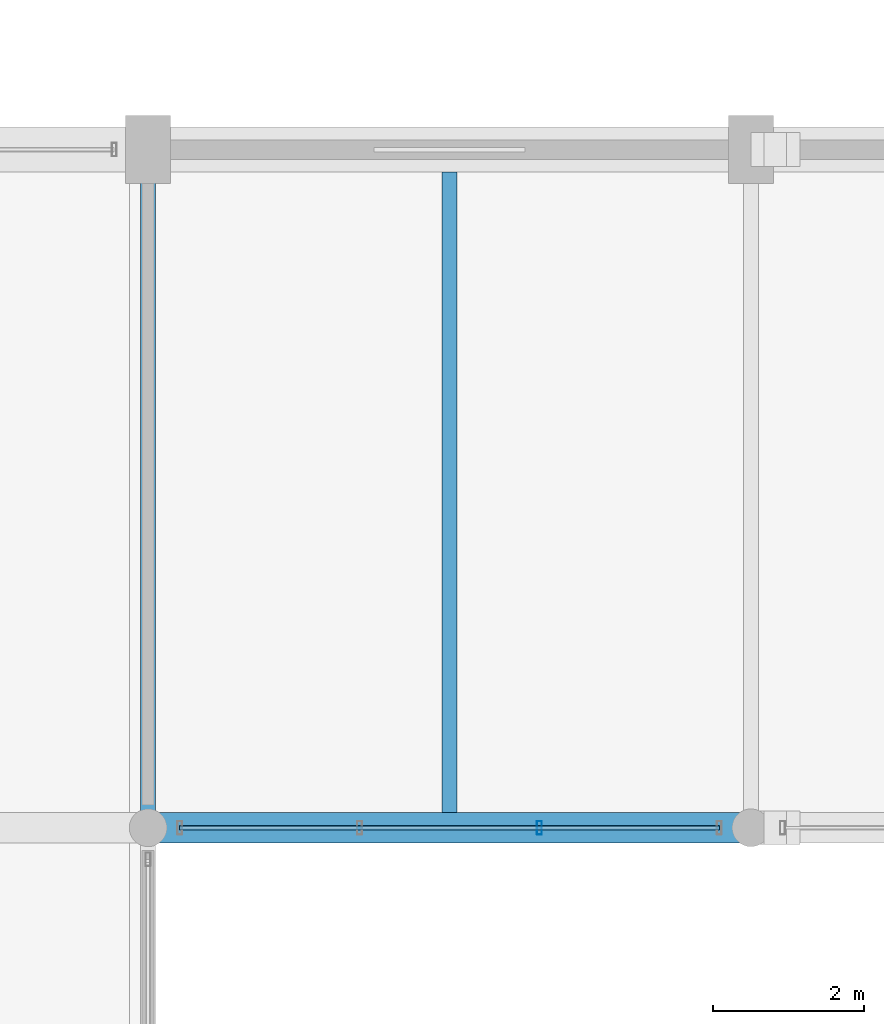
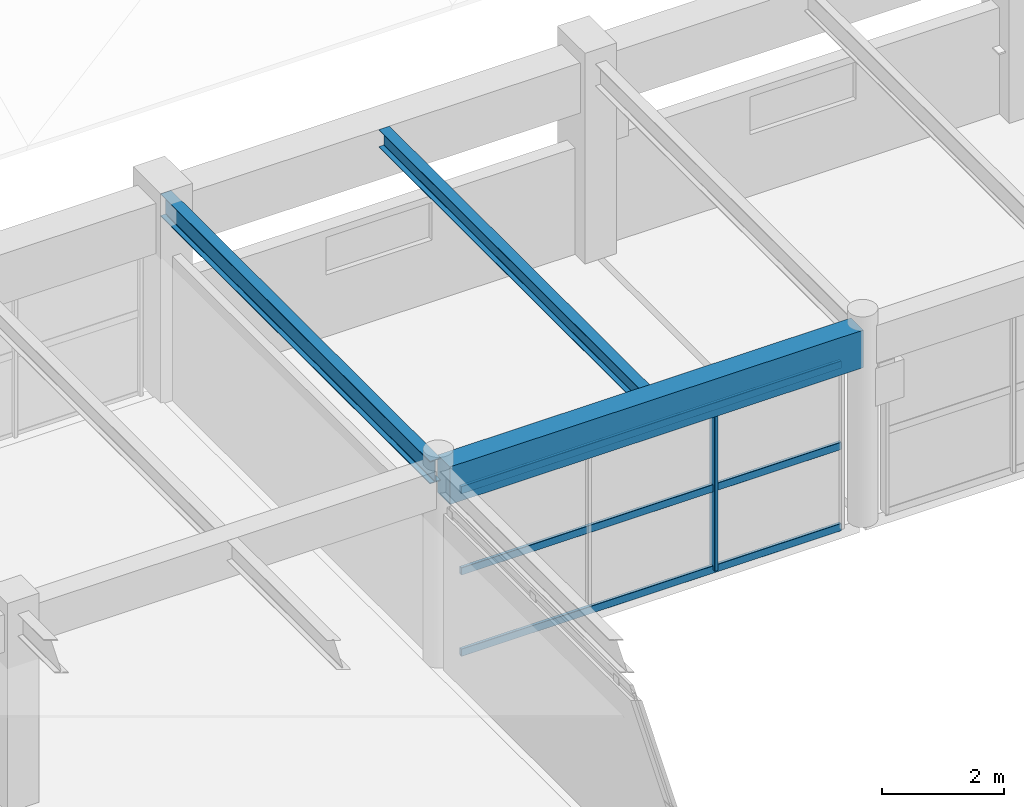
# One storey, part 18 of 126: 4 members, 3 beams, 1 element without a shape of its own.
"""IFC4 building model written with IfcOpenShell, lengths in metres."""

from ifc_helpers import new_model, si_unit, direction, frame, origin, origin_2d, place, context, subcontext, project, spatial, rectangle, hollow_rectangle, i_section, extrude, material, material_profile, profile_set, type_object, element, aggregate, save


model = new_model("IFC4")

# Units and contexts
model_context = context("Model", 3, precision=1e-05, world=origin(), true_north=direction((0.0, 1.0)))
body_context = subcontext(model_context, "Body", "Model", "MODEL_VIEW")
ifc_project = project(units=[si_unit("LENGTHUNIT", "METRE"), si_unit("AREAUNIT", "SQUARE_METRE"), si_unit("VOLUMEUNIT", "CUBIC_METRE"), si_unit("PLANEANGLEUNIT", "RADIAN"), si_unit("MASSUNIT", "GRAM", prefix="KILO")], contexts=[model_context])

# Site, building, storey
site_placement = place(None, origin())
site = spatial("IfcSite", under=ifc_project, at=site_placement, CompositionType="ELEMENT")
building_placement = place(site_placement, origin())
building = spatial("IfcBuilding", under=site, at=building_placement, Name="Varnabhumi Central Station", CompositionType="ELEMENT")
storey_placement = place(building_placement, frame((0.0, 0.0, 16.199951171875)))
storey = spatial("IfcBuildingStorey", under=building, at=storey_placement, Name="L03", CompositionType="ELEMENT", Elevation=16.199951171875)

# Beams
ifc_material_1 = material(Name="Concrete M40", Category="concrete")
ifc_material_profile_1 = material_profile(ifc_material_1, rectangle(XDim=0.39990234375, YDim=0.75, at=origin_2d()), Name="Concrete M40", Category="concrete")
ifc_profile_set_1 = profile_set([ifc_material_profile_1], Name="Concrete M40")
beam_type_1 = type_object("IfcBeamType", Name="BM-RC-400x750", PredefinedType="BEAM", material=ifc_profile_set_1)
beam_1_placement = place(storey_placement, frame((112.10009765625, 27.0, 3.545166015625), z_axis=(1.0, 0.0, 0.0), x_axis=(0.0, 1.0, 0.0)))
element("IfcBeam", 1, at=beam_1_placement, inside=storey, type_object=beam_type_1, Name="Beam L03-D:15-16", PredefinedType="BEAM", context=body_context, shape_type="SweptSolid", body=[
    extrude(rectangle(XDim=0.39990234375, YDim=0.75, at=origin_2d()), origin(), (0.0, 0.0, 1.0), 7.7998046875),
])
ifc_material_2 = material(Name="Structural steel E350", Category="steel")
ifc_material_profile_2 = material_profile(ifc_material_2, i_section(OverallWidth=0.199951171875, OverallDepth=0.35009765625, WebThickness=0.008056640625, FlangeThickness=0.011474609375, FilletRadius=0.011962890625, at=origin_2d()), Name="Structural steel E350", Category="steel")
ifc_profile_set_2 = profile_set([ifc_material_profile_2], Name="Structural steel E350")
beam_type_2 = type_object("IfcBeamType", Name="BM-STL-ISWB350", PredefinedType="JOIST", material=ifc_profile_set_2)
beam_2_placement = place(storey_placement, frame((116.0, 27.199951171875, 3.7451171875), z_axis=(0.0, 1.0, 0.0), x_axis=(-1.0, 0.0, 0.0)))
element("IfcBeam", 2, at=beam_2_placement, inside=storey, type_object=beam_type_2, Name="Secondary Joist L03-15/16:D-E", PredefinedType="JOIST", context=body_context, shape_type="SweptSolid", body=[
    extrude(i_section(OverallWidth=0.199951171875, OverallDepth=0.35009765625, WebThickness=0.008056640625, FlangeThickness=0.011474609375, FilletRadius=0.011962890625, at=origin_2d()), origin(), (0.0, 0.0, 1.0), 8.5),
])
ifc_material_profile_3 = material_profile(ifc_material_2, i_section(OverallWidth=0.199951171875, OverallDepth=0.449951171875, WebThickness=0.00927734375, FlangeThickness=0.015380859375, FilletRadius=0.013916015625, at=origin_2d()), Name="Structural steel E350", Category="steel")
ifc_profile_set_3 = profile_set([ifc_material_profile_3], Name="Structural steel E350")
beam_type_3 = type_object("IfcBeamType", Name="BM-STL-ISWB450", PredefinedType="BEAM", material=ifc_profile_set_3)
beam_3_placement = place(storey_placement, frame((112.0, 27.10009765625, 3.695068359375), z_axis=(0.0, 1.0, 0.0), x_axis=(-1.0, 0.0, 0.0)))
element("IfcBeam", 3, at=beam_3_placement, inside=storey, type_object=beam_type_3, Name="Beam L03-15:D-E", PredefinedType="BEAM", context=body_context, shape_type="SweptSolid", body=[
    extrude(i_section(OverallWidth=0.199951171875, OverallDepth=0.449951171875, WebThickness=0.00927734375, FlangeThickness=0.015380859375, FilletRadius=0.013916015625, at=origin_2d()), origin(), (0.0, 0.0, 1.0), 8.7998046875),
])

# Curtain wall, members
ifc_material_3 = material(Name="Anodised aluminium 6063-T6", Category="aluminium")
curtain_wall_type = type_object("IfcCurtainWallType", Name="CW-PATIO-LOGGIA-L3", PredefinedType="NOTDEFINED", material=ifc_material_3)
curtain_wall_placement = place(storey_placement, origin())
curtain_wall = element("IfcCurtainWall", 4, at=curtain_wall_placement, inside=storey, type_object=curtain_wall_type, Name="Curtain Wall CW-SP3N1", PredefinedType="NOTDEFINED")
ifc_material_profile_4 = material_profile(ifc_material_3, hollow_rectangle(XDim=0.06494140625, YDim=0.179931640625, WallThickness=0.00390625, InnerFilletRadius=0.001953125, OuterFilletRadius=0.006103515625, at=origin_2d()), Name="Anodised aluminium 6063-T6", Category="aluminium")
ifc_profile_set_4 = profile_set([ifc_material_profile_4], Name="Anodised aluminium 6063-T6")
member_type_1 = type_object("IfcMemberType", Name="CW-MUL-180", PredefinedType="MULLION", material=ifc_profile_set_4)
member_1_placement = place(storey_placement, frame((117.193359375, 27.0, 0.0), z_axis=(0.0, 0.0, 1.0), x_axis=(1.0, 0.0, 0.0)))
member_1 = element("IfcMember", 5, at=member_1_placement, type_object=member_type_1, Name="Curtain Wall Mullion CW-SP3N1-M3", PredefinedType="MULLION", context=body_context, shape_type="SweptSolid", body=[
    extrude(hollow_rectangle(XDim=0.06494140625, YDim=0.179931640625, WallThickness=0.00390625, InnerFilletRadius=0.001953125, OuterFilletRadius=0.006103515625, at=origin_2d()), origin(), (0.0, 0.0, 1.0), 3.239990234375),
])
ifc_material_profile_5 = material_profile(ifc_material_3, hollow_rectangle(XDim=0.06005859375, YDim=0.14990234375, WallThickness=0.00390625, InnerFilletRadius=0.001953125, OuterFilletRadius=0.006103515625, at=origin_2d()), Name="Anodised aluminium 6063-T6", Category="aluminium")
ifc_profile_set_5 = profile_set([ifc_material_profile_5], Name="Anodised aluminium 6063-T6")
member_type_2 = type_object("IfcMemberType", Name="CW-TR-150", PredefinedType="USERDEFINED", material=ifc_profile_set_5)
member_2_placement = place(storey_placement, frame((112.419921875, 27.0, 0.0), z_axis=(1.0, 0.0, 0.0), x_axis=(0.0, 1.0, 0.0)))
member_2 = element("IfcMember", 6, at=member_2_placement, type_object=member_type_2, Name="Curtain Wall Transom CW-SP3N1-T1", ObjectType="TRANSOM", PredefinedType="USERDEFINED", context=body_context, shape_type="SweptSolid", body=[
    extrude(hollow_rectangle(XDim=0.06005859375, YDim=0.14990234375, WallThickness=0.00390625, InnerFilletRadius=0.001953125, OuterFilletRadius=0.006103515625, at=origin_2d()), origin(), (0.0, 0.0, 1.0), 7.16015625),
])
member_3_placement = place(storey_placement, frame((112.419921875, 27.0, 1.6201171875), z_axis=(1.0, 0.0, 0.0), x_axis=(0.0, 1.0, 0.0)))
member_3 = element("IfcMember", 7, at=member_3_placement, type_object=member_type_2, Name="Curtain Wall Transom CW-SP3N1-T2", ObjectType="TRANSOM", PredefinedType="USERDEFINED", context=body_context, shape_type="SweptSolid", body=[
    extrude(hollow_rectangle(XDim=0.06005859375, YDim=0.14990234375, WallThickness=0.00390625, InnerFilletRadius=0.001953125, OuterFilletRadius=0.006103515625, at=origin_2d()), origin(), (0.0, 0.0, 1.0), 7.16015625),
])
member_4_placement = place(storey_placement, frame((112.419921875, 27.0, 3.239990234375), z_axis=(1.0, 0.0, 0.0), x_axis=(0.0, 1.0, 0.0)))
member_4 = element("IfcMember", 8, at=member_4_placement, type_object=member_type_2, Name="Curtain Wall Transom CW-SP3N1-T3", ObjectType="TRANSOM", PredefinedType="USERDEFINED", context=body_context, shape_type="SweptSolid", body=[
    extrude(hollow_rectangle(XDim=0.06005859375, YDim=0.14990234375, WallThickness=0.00390625, InnerFilletRadius=0.001953125, OuterFilletRadius=0.006103515625, at=origin_2d()), origin(), (0.0, 0.0, 1.0), 7.16015625),
])
aggregate(curtain_wall, [member_1, member_2, member_3, member_4])

save(model, "model.ifc")
